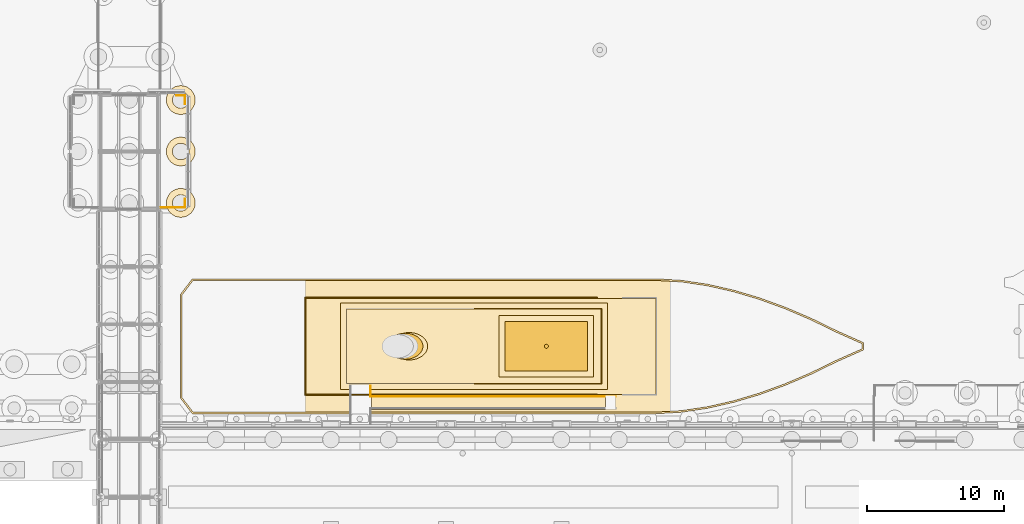
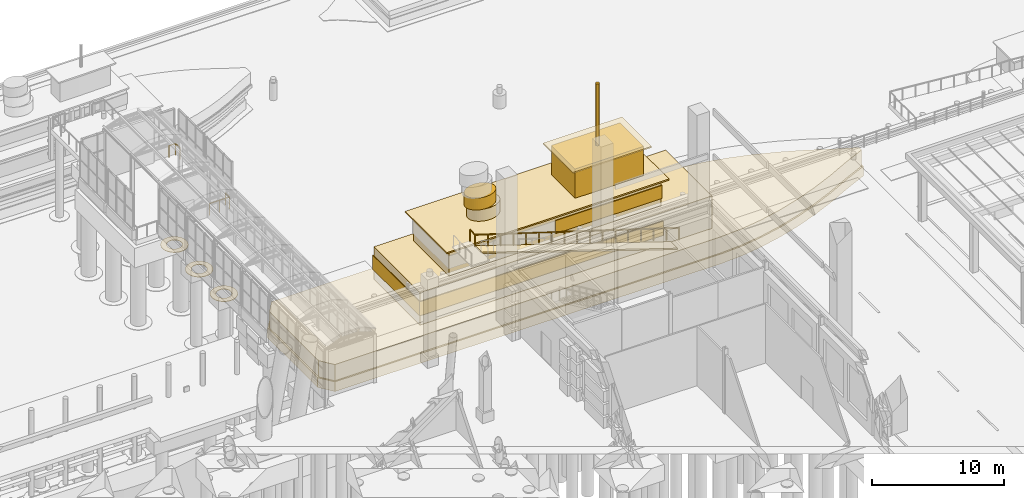
# One storey, part 192 of 222: 16 coverings, 5 railings.
"""IFC4 building model written with IfcOpenShell, lengths in metres."""

from ifc_helpers import new_model, si_unit, direction, frame, origin, origin_2d, place, context, subcontext, project, spatial, polyline, circle, outline, extrude, material, layer, layer_set, type_object, element, save


model = new_model("IFC4")

# Units and contexts
model_context = context("Model", 3, precision=1e-05, world=origin(), true_north=direction((0.0, 1.0)))
body_context = subcontext(model_context, "Body", "Model", "MODEL_VIEW")
ifc_project = project(units=[si_unit("LENGTHUNIT", "METRE"), si_unit("AREAUNIT", "SQUARE_METRE"), si_unit("VOLUMEUNIT", "CUBIC_METRE"), si_unit("PLANEANGLEUNIT", "RADIAN"), si_unit("MASSUNIT", "GRAM", prefix="KILO")], contexts=[model_context])

# Site, building, storey
site_placement = place(None, origin())
site = spatial("IfcSite", under=ifc_project, at=site_placement, CompositionType="ELEMENT")
building_placement = place(site_placement, origin())
building = spatial("IfcBuilding", under=site, at=building_placement, Name="Sava Quay Ferry Terminal", CompositionType="ELEMENT")
storey_placement = place(building_placement, origin())
storey = spatial("IfcBuildingStorey", under=building, at=storey_placement, Name="L00", CompositionType="ELEMENT", Elevation=0.0)

# Covering
ifc_material_1 = material(Name="Steel S355", Category="steel")
ifc_layer_1 = layer(ifc_material_1, 0.1201171875)
ifc_layer_set_1 = layer_set([ifc_layer_1], Name="Steel S355")
covering_type_1 = type_object("IfcCoveringType", Name="Crew gangway plate 120", PredefinedType="FLOORING", material=ifc_layer_set_1)
covering_1_placement = place(storey_placement, frame((95.35009765625, 120.800048828125, 0.1201171875), z_axis=(0.0, 1.0, 0.0), x_axis=(0.950227036018, 0.0, -0.311558309184)))
element("IfcCovering", 1, at=covering_1_placement, inside=storey, type_object=covering_type_1, Name="Crew gangway", PredefinedType="FLOORING", context=body_context, shape_type="SweptSolid", body=[
    extrude(outline(polyline([(0.0, 0.0), (17.97447697968839, 0.0), (18.01190048752977, 0.11413859905288959), (0.03742350784138105, 0.1141385990528894), (0.0, 0.0)])), origin(), (0.0, 0.0, -1.0), 1.0),
])

# Railings
ifc_material_2 = material(Name="Steel S355", Category="steel")
railing_type = type_object("IfcRailingType", Name="Edge guard 1100", PredefinedType="GUARDRAIL", material=ifc_material_2)
railing_1_placement = place(storey_placement, frame((80.0, 134.52001953125, 0.0)))
element("IfcRailing", 2, at=railing_1_placement, inside=storey, type_object=railing_type, Name="Berth head south guard east", PredefinedType="GUARDRAIL", context=body_context, shape_type="SweptSolid", body=[
    extrude(circle(Radius=0.02392578125, at=origin_2d()), frame((0.0, 0.0, 1.076171875), z_axis=(1.0, 0.0, 0.0), x_axis=(0.0, 1.0, 0.0)), (0.0, 0.0, 1.0), 1.75),
    extrude(circle(Radius=0.02099609375, at=origin_2d()), origin(), (0.0, 0.0, 1.0), 1.052001953125),
    extrude(circle(Radius=0.02099609375, at=origin_2d()), frame((0.875, 0.0, 0.0)), (0.0, 0.0, 1.0), 1.052001953125),
    extrude(circle(Radius=0.02099609375, at=origin_2d()), frame((1.75, 0.0, 0.0)), (0.0, 0.0, 1.0), 1.052001953125),
])
for number, where, name in (
    (3, (81.75, 134.52001953125, 0.0), "Berth head south-east corner guard"),
    (4, (81.75, 142.050048828125, 0.0), "Berth head north-east corner guard"),
):
    element("IfcRailing", number, at=place(storey_placement, frame(where)), inside=storey, type_object=railing_type, Name=name, PredefinedType="GUARDRAIL", context=body_context, shape_type="SweptSolid", body=[
        extrude(circle(Radius=0.02392578125, at=origin_2d()), frame((0.0, 0.0, 1.076171875), z_axis=(0.0, 1.0, 0.0), x_axis=(-1.0, 0.0, 0.0)), (0.0, 0.0, 1.0), 0.6298828125),
        extrude(circle(Radius=0.02099609375, at=origin_2d()), origin(), (0.0, 0.0, 1.0), 1.052001953125),
        extrude(circle(Radius=0.02099609375, at=origin_2d()), frame((0.0, 0.6298828125, 0.0)), (0.0, 0.0, 1.0), 1.052001953125),
    ])
railing_2_placement = place(storey_placement, frame((81.75, 142.679931640625, 0.0)))
element("IfcRailing", 5, at=railing_2_placement, inside=storey, type_object=railing_type, Name="Berth head north-east corner guard", PredefinedType="GUARDRAIL", context=body_context, shape_type="SweptSolid", body=[
    extrude(circle(Radius=0.02392578125, at=origin_2d()), frame((0.0, 0.0, 1.076171875), z_axis=(-1.0, 0.0, 0.0), x_axis=(0.0, -1.0, 0.0)), (0.0, 0.0, 1.0), 0.60009765625),
    extrude(circle(Radius=0.02099609375, at=origin_2d()), origin(), (0.0, 0.0, 1.0), 1.052001953125),
    extrude(circle(Radius=0.02099609375, at=origin_2d()), frame((-0.60009765625, 0.0, 0.0)), (0.0, 0.0, 1.0), 1.052001953125),
])
railing_3_placement = place(storey_placement, frame((113.1298828125, 120.72998046875, -5.47998046875)))
element("IfcRailing", 6, at=railing_3_placement, inside=storey, type_object=railing_type, Name="Gangway guard", PredefinedType="GUARDRAIL", context=body_context, shape_type="SweptSolid", body=[
    extrude(circle(Radius=0.02392578125, at=origin_2d()), frame((0.0, 0.0, 1.076171875), z_axis=(-0.954144295007, 0.0, 0.299347063298), x_axis=(0.0, -1.0, 0.0)), (0.0, 0.0, 1.0), 18.707763671875),
    extrude(circle(Radius=0.02392578125, at=origin_2d()), frame((-17.849853515625, 0.0, 6.67626953125), z_axis=(0.0, 1.0, 0.0), x_axis=(-1.0, 0.0, 0.0)), (0.0, 0.0, 1.0), 0.77001953125),
    extrude(circle(Radius=0.02099609375, at=origin_2d()), origin(), (0.0, 0.0, 1.0), 1.052001953125),
    extrude(circle(Radius=0.02099609375, at=origin_2d()), frame((-1.11572265625, 0.0, 0.35009765625)), (0.0, 0.0, 1.0), 1.052001953125),
    extrude(circle(Radius=0.02099609375, at=origin_2d()), frame((-2.231201171875, 0.0, 0.699951171875)), (0.0, 0.0, 1.0), 1.052001953125),
    extrude(circle(Radius=0.02099609375, at=origin_2d()), frame((-3.346923828125, 0.0, 1.050048828125)), (0.0, 0.0, 1.0), 1.052001953125),
    extrude(circle(Radius=0.02099609375, at=origin_2d()), frame((-4.46240234375, 0.0, 1.39990234375)), (0.0, 0.0, 1.0), 1.052001953125),
    extrude(circle(Radius=0.02099609375, at=origin_2d()), frame((-5.578125, 0.0, 1.75)), (0.0, 0.0, 1.0), 1.052001953125),
    extrude(circle(Radius=0.02099609375, at=origin_2d()), frame((-6.693603515625, 0.0, 2.10009765625)), (0.0, 0.0, 1.0), 1.052001953125),
    extrude(circle(Radius=0.02099609375, at=origin_2d()), frame((-7.809326171875, 0.0, 2.449951171875)), (0.0, 0.0, 1.0), 1.052001953125),
    extrude(circle(Radius=0.02099609375, at=origin_2d()), frame((-8.9248046875, 0.0, 2.800048828125)), (0.0, 0.0, 1.0), 1.052001953125),
    extrude(circle(Radius=0.02099609375, at=origin_2d()), frame((-10.04052734375, 0.0, 3.150146484375)), (0.0, 0.0, 1.0), 1.052001953125),
    extrude(circle(Radius=0.02099609375, at=origin_2d()), frame((-11.15625, 0.0, 3.5)), (0.0, 0.0, 1.0), 1.052001953125),
    extrude(circle(Radius=0.02099609375, at=origin_2d()), frame((-12.271728515625, 0.0, 3.85009765625)), (0.0, 0.0, 1.0), 1.052001953125),
    extrude(circle(Radius=0.02099609375, at=origin_2d()), frame((-13.387451171875, 0.0, 4.2001953125)), (0.0, 0.0, 1.0), 1.052001953125),
    extrude(circle(Radius=0.02099609375, at=origin_2d()), frame((-14.5029296875, 0.0, 4.550048828125)), (0.0, 0.0, 1.0), 1.052001953125),
    extrude(circle(Radius=0.02099609375, at=origin_2d()), frame((-15.61865234375, 0.0, 4.900146484375)), (0.0, 0.0, 1.0), 1.052001953125),
    extrude(circle(Radius=0.02099609375, at=origin_2d()), frame((-16.734130859375, 0.0, 5.25)), (0.0, 0.0, 1.0), 1.052001953125),
    extrude(circle(Radius=0.02099609375, at=origin_2d()), frame((-17.849853515625, 0.0, 5.60009765625)), (0.0, 0.0, 1.0), 1.052001953125),
    extrude(circle(Radius=0.02099609375, at=origin_2d()), frame((-17.849853515625, 0.77001953125, 5.60009765625)), (0.0, 0.0, 1.0), 1.052001953125),
])

# Coverings
ifc_material_3 = material(Name="Steel S355", Category="steel")
ifc_layer_2 = layer(ifc_material_3, 0.1201171875)
ifc_layer_set_2 = layer_set([ifc_layer_2], Name="Steel S355")
covering_type_2 = type_object("IfcCoveringType", Name="Ferry deck plate 120", PredefinedType="FLOORING", material=ifc_layer_set_2)
covering_2_placement = place(storey_placement, frame((0.0, 0.0, -0.1201171875)))
element("IfcCovering", 7, at=covering_2_placement, inside=storey, type_object=covering_type_2, Name="Ferry upper deck", PredefinedType="FLOORING", context=body_context, shape_type="SweptSolid", body=[
    extrude(outline(polyline([(112.550048828125, 127.550048828125), (93.10009765625, 127.550048828125), (93.10009765625, 121.25), (112.550048828125, 121.25), (112.550048828125, 127.550048828125)])), origin(), (0.0, 0.0, 1.0), 0.1201171875),
])
covering_3_placement = place(storey_placement, frame((0.0, 0.0, 2.699951171875)))
element("IfcCovering", 8, at=covering_3_placement, inside=storey, type_object=covering_type_2, Name="Ferry wheelhouse roof", PredefinedType="FLOORING", context=body_context, shape_type="SweptSolid", body=[
    extrude(outline(polyline([(104.64990234375, 122.14990234375), (111.550048828125, 122.14990234375), (111.550048828125, 126.64990234375), (104.64990234375, 126.64990234375), (104.64990234375, 122.14990234375)])), origin(), (0.0, 0.0, 1.0), 0.1201171875),
])
ifc_material_4 = material(Name="Steel S355", Category="steel")
ifc_layer_3 = layer(ifc_material_4, 4.39990234375)
ifc_layer_set_3 = layer_set([ifc_layer_3], Name="Steel S355")
covering_type_3 = type_object("IfcCoveringType", Name="Ferry funnel", PredefinedType="CLADDING", material=ifc_layer_set_3)
covering_4_placement = place(storey_placement, origin())
element("IfcCovering", 9, at=covering_4_placement, inside=storey, type_object=covering_type_3, Name="Ferry funnel", PredefinedType="CLADDING", context=body_context, shape_type="SweptSolid", body=[
    extrude(outline(polyline([(99.449951171875, 124.39990234375), (99.43798828125, 124.531005859375), (99.404052734375, 124.658935546875), (99.346923828125, 124.782958984375), (99.26904296875, 124.89990234375), (99.1708984375, 125.009033203125), (99.054931640625, 125.10693359375), (98.922119140625, 125.193115234375), (98.77490234375, 125.26611328125), (98.616943359375, 125.323974609375), (98.448974609375, 125.365966796875), (98.27587890625, 125.39111328125), (98.10009765625, 125.39990234375), (97.924072265625, 125.39111328125), (97.7509765625, 125.365966796875), (97.5830078125, 125.323974609375), (97.425048828125, 125.26611328125), (97.278076171875, 125.193115234375), (97.14501953125, 125.10693359375), (97.029052734375, 125.009033203125), (96.930908203125, 124.89990234375), (96.85302734375, 124.782958984375), (96.7958984375, 124.658935546875), (96.761962890625, 124.531005859375), (96.75, 124.39990234375), (96.761962890625, 124.26904296875), (96.7958984375, 124.14111328125), (96.85302734375, 124.01708984375), (96.930908203125, 123.89990234375), (97.029052734375, 123.791015625), (97.14501953125, 123.693115234375), (97.278076171875, 123.60693359375), (97.425048828125, 123.533935546875), (97.5830078125, 123.47607421875), (97.7509765625, 123.43408203125), (97.924072265625, 123.408935546875), (98.10009765625, 123.39990234375), (98.27587890625, 123.408935546875), (98.448974609375, 123.43408203125), (98.616943359375, 123.47607421875), (98.77490234375, 123.533935546875), (98.922119140625, 123.60693359375), (99.054931640625, 123.693115234375), (99.1708984375, 123.791015625), (99.26904296875, 123.89990234375), (99.346923828125, 124.01708984375), (99.404052734375, 124.14111328125), (99.43798828125, 124.26904296875), (99.449951171875, 124.39990234375)])), origin(), (0.0, 0.0, 1.0), 1.10009765625),
])
covering_5_placement = place(storey_placement, frame((0.0, 0.0, 1.10009765625)))
element("IfcCovering", 10, at=covering_5_placement, inside=storey, type_object=covering_type_3, Name="Ferry funnel", PredefinedType="CLADDING", context=body_context, shape_type="SweptSolid", body=[
    extrude(outline(polyline([(99.10205078125, 124.39990234375), (99.092041015625, 124.52392578125), (99.05908203125, 124.64599609375), (99.0048828125, 124.763916015625), (98.930908203125, 124.875), (98.8369140625, 124.97802734375), (98.72705078125, 125.072021484375), (98.60107421875, 125.154052734375), (98.4609375, 125.222900390625), (98.31103515625, 125.278076171875), (98.152099609375, 125.318115234375), (97.987060546875, 125.342041015625), (97.820068359375, 125.35009765625), (97.653076171875, 125.342041015625), (97.488037109375, 125.318115234375), (97.3291015625, 125.278076171875), (97.178955078125, 125.222900390625), (97.0390625, 125.154052734375), (96.9130859375, 125.072021484375), (96.802978515625, 124.97802734375), (96.708984375, 124.875), (96.635009765625, 124.763916015625), (96.5810546875, 124.64599609375), (96.548095703125, 124.52392578125), (96.537109375, 124.39990234375), (96.548095703125, 124.27587890625), (96.5810546875, 124.154052734375), (96.635009765625, 124.035888671875), (96.708984375, 123.925048828125), (96.802978515625, 123.822021484375), (96.9130859375, 123.72802734375), (97.0390625, 123.64599609375), (97.178955078125, 123.576904296875), (97.3291015625, 123.52197265625), (97.488037109375, 123.48193359375), (97.653076171875, 123.4580078125), (97.820068359375, 123.449951171875), (97.987060546875, 123.4580078125), (98.152099609375, 123.48193359375), (98.31103515625, 123.52197265625), (98.4609375, 123.576904296875), (98.60107421875, 123.64599609375), (98.72705078125, 123.72802734375), (98.8369140625, 123.822021484375), (98.930908203125, 123.925048828125), (99.0048828125, 124.035888671875), (99.05908203125, 124.154052734375), (99.092041015625, 124.27587890625), (99.10205078125, 124.39990234375)])), origin(), (0.0, 0.0, 1.0), 1.099853515625),
])
ifc_material_5 = material(Name="Steel S355", Category="steel")
ifc_layer_4 = layer(ifc_material_5, 1.5)
ifc_layer_set_4 = layer_set([ifc_layer_4], Name="Steel S355")
covering_type_4 = type_object("IfcCoveringType", Name="Ferry hull side", PredefinedType="CLADDING", material=ifc_layer_set_4)
covering_6_placement = place(storey_placement, frame((0.0, 0.0, -7.10009765625)))
element("IfcCovering", 11, at=covering_6_placement, inside=storey, type_object=covering_type_4, Name="Moored passenger ferry hull", PredefinedType="CLADDING", context=body_context, shape_type="SweptSolid", body=[
    extrude(outline(polyline([(81.550048828125, 128.14404296875), (81.550048828125, 120.656005859375), (82.35009765625, 119.60009765625), (116.10009765625, 119.60009765625), (117.97509765625, 119.714111328125), (119.85009765625, 119.99609375), (121.72509765625, 120.4208984375), (123.60009765625, 120.97802734375), (125.47509765625, 121.659912109375), (127.35009765625, 122.4599609375), (129.22509765625, 123.3740234375), (131.10009765625, 124.2080078125), (131.10009765625, 124.592041015625), (129.22509765625, 125.426025390625), (127.35009765625, 126.340087890625), (125.47509765625, 127.139892578125), (123.60009765625, 127.822021484375), (121.72509765625, 128.37890625), (119.85009765625, 128.803955078125), (117.97509765625, 129.0859375), (116.10009765625, 129.199951171875), (82.35009765625, 129.199951171875), (81.550048828125, 128.14404296875)])), origin(), (0.0, 0.0, 1.0), 1.5),
])
ifc_material_6 = material(Name="Aluminium cladding", Category="aluminium")
ifc_layer_5 = layer(ifc_material_6, 3.0)
ifc_layer_set_5 = layer_set([ifc_layer_5], Name="Aluminium cladding")
covering_type_5 = type_object("IfcCoveringType", Name="Ferry main deckhouse 3000", PredefinedType="CLADDING", material=ifc_layer_set_5)
covering_7_placement = place(storey_placement, frame((0.0, 0.0, -5.60009765625)))
element("IfcCovering", 12, at=covering_7_placement, inside=storey, type_object=covering_type_5, Name="Ferry main deckhouse", PredefinedType="CLADDING", context=body_context, shape_type="SweptSolid", body=[
    extrude(outline(polyline([(116.06103515625, 127.89990234375), (90.550048828125, 127.89990234375), (90.550048828125, 120.89990234375), (116.06103515625, 120.89990234375), (116.10009765625, 120.902099609375), (116.10009765625, 127.89794921875), (116.06103515625, 127.89990234375)])), origin(), (0.0, 0.0, 1.0), 3.0),
])
ifc_material_7 = material(Name="Steel S355", Category="steel")
ifc_layer_6 = layer(ifc_material_7, 0.300048828125)
ifc_layer_set_6 = layer_set([ifc_layer_6], Name="Steel S355")
covering_type_6 = type_object("IfcCoveringType", Name="Ferry mast 300", PredefinedType="CLADDING", material=ifc_layer_set_6)
covering_8_placement = place(storey_placement, frame((108.10009765625, 124.39990234375, 8.52001953125), z_axis=(0.0, 0.0, -1.0), x_axis=(1.0, 0.0, 0.0)))
element("IfcCovering", 13, at=covering_8_placement, inside=storey, type_object=covering_type_6, Name="Ferry mast", PredefinedType="CLADDING", context=body_context, shape_type="SweptSolid", body=[
    extrude(circle(Radius=0.14990234375, at=origin_2d()), origin(), (0.0, 0.0, 1.0), 5.699951171875),
])
ifc_material_8 = material(Name="Aluminium cladding", Category="aluminium")
ifc_layer_7 = layer(ifc_material_8, 2.47998046875)
ifc_layer_set_7 = layer_set([ifc_layer_7], Name="Aluminium cladding")
covering_type_7 = type_object("IfcCoveringType", Name="Ferry upper deckhouse", PredefinedType="CLADDING", material=ifc_layer_set_7)
covering_9_placement = place(storey_placement, frame((0.0, 0.0, -2.60009765625)))
element("IfcCovering", 14, at=covering_9_placement, inside=storey, type_object=covering_type_7, Name="Ferry upper deckhouse", PredefinedType="CLADDING", context=body_context, shape_type="SweptSolid", body=[
    extrude(outline(polyline([(112.10009765625, 127.10009765625), (93.550048828125, 127.10009765625), (93.550048828125, 121.699951171875), (112.10009765625, 121.699951171875), (112.10009765625, 127.10009765625)])), origin(), (0.0, 0.0, 1.0), 2.47998046875),
])
ifc_material_9 = material(Name="Steel S355", Category="steel")
ifc_layer_8 = layer(ifc_material_9, 0.89990234375)
ifc_layer_set_8 = layer_set([ifc_layer_8], Name="Steel S355")
covering_type_8 = type_object("IfcCoveringType", Name="Ferry waterline band 900", PredefinedType="CLADDING", material=ifc_layer_set_8)
covering_10_placement = place(storey_placement, frame((0.0, 0.0, -8.0)))
element("IfcCovering", 15, at=covering_10_placement, inside=storey, type_object=covering_type_8, Name="Ferry waterline band", PredefinedType="CLADDING", context=body_context, shape_type="SweptSolid", body=[
    extrude(outline(polyline([(81.429931640625, 128.18408203125), (81.429931640625, 120.615966796875), (82.2900390625, 119.47998046875), (116.10400390625, 119.47998046875), (117.988037109375, 119.593994140625), (119.8720703125, 119.8779296875), (121.7548828125, 120.304931640625), (123.637939453125, 120.864013671875), (125.51904296875, 121.548095703125), (127.39990234375, 122.35107421875), (129.27587890625, 123.26611328125), (131.219970703125, 124.1298828125), (131.219970703125, 124.669921875), (129.27587890625, 125.533935546875), (127.39990234375, 126.448974609375), (125.51904296875, 127.251953125), (123.637939453125, 127.93603515625), (121.7548828125, 128.4951171875), (119.8720703125, 128.922119140625), (117.988037109375, 129.2060546875), (116.10400390625, 129.320068359375), (82.2900390625, 129.320068359375), (81.429931640625, 128.18408203125)])), origin(), (0.0, 0.0, 1.0), 0.89990234375),
])
ifc_material_10 = material(Name="Aluminium cladding", Category="aluminium")
ifc_layer_9 = layer(ifc_material_10, 2.699951171875)
ifc_layer_set_9 = layer_set([ifc_layer_9], Name="Aluminium cladding")
covering_type_9 = type_object("IfcCoveringType", Name="Ferry wheelhouse 2700", PredefinedType="CLADDING", material=ifc_layer_set_9)
covering_11_placement = place(storey_placement, origin())
element("IfcCovering", 16, at=covering_11_placement, inside=storey, type_object=covering_type_9, Name="Ferry wheelhouse", PredefinedType="CLADDING", context=body_context, shape_type="SweptSolid", body=[
    extrude(outline(polyline([(105.10009765625, 122.60009765625), (111.10009765625, 122.60009765625), (111.10009765625, 126.199951171875), (105.10009765625, 126.199951171875), (105.10009765625, 122.60009765625)])), origin(), (0.0, 0.0, 1.0), 2.699951171875),
])
ifc_material_11 = material(Name="Glass", Category="glass")
ifc_layer_10 = layer(ifc_material_11, 0.06005859375)
ifc_layer_set_10 = layer_set([ifc_layer_10], Name="Glass")
covering_type_10 = type_object("IfcCoveringType", Name="Ferry window band 60", PredefinedType="CLADDING", material=ifc_layer_set_10)
covering_12_placement = place(storey_placement, frame((0.0, 0.0, -4.699951171875)))
element("IfcCovering", 17, at=covering_12_placement, inside=storey, type_object=covering_type_10, Name="Ferry window band", PredefinedType="CLADDING", context=body_context, shape_type="SweptSolid", body=[
    extrude(outline(polyline([(90.489990234375, 120.840087890625), (111.830078125, 120.840087890625), (111.830078125, 120.89990234375), (90.550048828125, 120.89990234375), (90.550048828125, 127.89990234375), (111.830078125, 127.89990234375), (111.830078125, 127.9599609375), (90.489990234375, 127.9599609375), (90.489990234375, 120.840087890625)])), origin(), (0.0, 0.0, 1.0), 1.300048828125),
])
covering_13_placement = place(storey_placement, frame((0.0, 0.0, -1.89990234375)))
element("IfcCovering", 18, at=covering_13_placement, inside=storey, type_object=covering_type_10, Name="Ferry window band", PredefinedType="CLADDING", context=body_context, shape_type="SweptSolid", body=[
    extrude(outline(polyline([(102.824951171875, 121.639892578125), (112.159912109375, 121.639892578125), (112.159912109375, 127.159912109375), (102.824951171875, 127.159912109375), (102.824951171875, 127.10009765625), (112.10009765625, 127.10009765625), (112.10009765625, 121.699951171875), (102.824951171875, 121.699951171875), (102.824951171875, 121.639892578125)])), origin(), (0.0, 0.0, 1.0), 1.199951171875),
])
ifc_material_12 = material(Name="Water")
ifc_layer_11 = layer(ifc_material_12, 0.0400390625)
ifc_layer_set_11 = layer_set([ifc_layer_11], Name="Water")
covering_type_11 = type_object("IfcCoveringType", Name="River foam collar", PredefinedType="CLADDING", material=ifc_layer_set_11)
covering_14_placement = place(storey_placement, frame((0.0, 0.0, -8.0)))
element("IfcCovering", 19, at=covering_14_placement, inside=storey, type_object=covering_type_11, Name="River foam collar", PredefinedType="CLADDING", context=body_context, shape_type="SweptSolid", body=[
    extrude(outline(polyline([(82.422119140625, 134.447021484375), (82.48193359375, 134.64501953125), (82.501953125, 134.85009765625), (82.48193359375, 135.054931640625), (82.422119140625, 135.2529296875), (82.324951171875, 135.43505859375), (82.194091796875, 135.593994140625), (82.034912109375, 135.72509765625), (81.85302734375, 135.822021484375), (81.655029296875, 135.882080078125), (81.449951171875, 135.902099609375), (81.2451171875, 135.882080078125), (81.047119140625, 135.822021484375), (80.864990234375, 135.72509765625), (80.7060546875, 135.593994140625), (80.574951171875, 135.43505859375), (80.47802734375, 135.2529296875), (80.41796875, 135.054931640625), (80.39794921875, 134.85009765625), (80.41796875, 134.64501953125), (80.47802734375, 134.447021484375), (80.574951171875, 134.264892578125), (80.7060546875, 134.10595703125), (80.864990234375, 133.97509765625), (81.047119140625, 133.8779296875), (81.2451171875, 133.818115234375), (81.449951171875, 133.798095703125), (81.655029296875, 133.818115234375), (81.85302734375, 133.8779296875), (82.034912109375, 133.97509765625), (82.194091796875, 134.10595703125), (82.324951171875, 134.264892578125), (82.422119140625, 134.447021484375)]), holes=[polyline([(82.00390625, 135.080078125), (82.0380859375, 134.967041015625), (82.050048828125, 134.85009765625), (82.0380859375, 134.73291015625), (82.00390625, 134.6201171875), (81.948974609375, 134.51708984375), (81.8740234375, 134.426025390625), (81.782958984375, 134.35107421875), (81.679931640625, 134.2958984375), (81.56689453125, 134.261962890625), (81.449951171875, 134.25), (81.3330078125, 134.261962890625), (81.219970703125, 134.2958984375), (81.116943359375, 134.35107421875), (81.02587890625, 134.426025390625), (80.950927734375, 134.51708984375), (80.89599609375, 134.6201171875), (80.862060546875, 134.73291015625), (80.85009765625, 134.85009765625), (80.862060546875, 134.967041015625), (80.89599609375, 135.080078125), (80.950927734375, 135.18310546875), (81.02587890625, 135.27392578125), (81.116943359375, 135.34912109375), (81.219970703125, 135.404052734375), (81.3330078125, 135.43798828125), (81.449951171875, 135.449951171875), (81.56689453125, 135.43798828125), (81.679931640625, 135.404052734375), (81.782958984375, 135.34912109375), (81.8740234375, 135.27392578125), (81.948974609375, 135.18310546875), (82.00390625, 135.080078125)])]), origin(), (0.0, 0.0, 1.0), 0.0400390625),
])
covering_15_placement = place(storey_placement, frame((0.0, 0.0, -8.0)))
element("IfcCovering", 20, at=covering_15_placement, inside=storey, type_object=covering_type_11, Name="River foam collar", PredefinedType="CLADDING", context=body_context, shape_type="SweptSolid", body=[
    extrude(outline(polyline([(82.324951171875, 138.014892578125), (82.422119140625, 138.197021484375), (82.48193359375, 138.39501953125), (82.501953125, 138.60009765625), (82.48193359375, 138.804931640625), (82.422119140625, 139.0029296875), (82.324951171875, 139.18505859375), (82.194091796875, 139.343994140625), (82.034912109375, 139.47509765625), (81.85302734375, 139.572021484375), (81.655029296875, 139.632080078125), (81.449951171875, 139.652099609375), (81.2451171875, 139.632080078125), (81.047119140625, 139.572021484375), (80.864990234375, 139.47509765625), (80.7060546875, 139.343994140625), (80.574951171875, 139.18505859375), (80.47802734375, 139.0029296875), (80.41796875, 138.804931640625), (80.39794921875, 138.60009765625), (80.41796875, 138.39501953125), (80.47802734375, 138.197021484375), (80.574951171875, 138.014892578125), (80.7060546875, 137.85595703125), (80.864990234375, 137.72509765625), (81.047119140625, 137.6279296875), (81.2451171875, 137.568115234375), (81.449951171875, 137.548095703125), (81.655029296875, 137.568115234375), (81.85302734375, 137.6279296875), (82.034912109375, 137.72509765625), (82.194091796875, 137.85595703125), (82.324951171875, 138.014892578125)]), holes=[polyline([(81.948974609375, 138.93310546875), (82.00390625, 138.830078125), (82.0380859375, 138.717041015625), (82.050048828125, 138.60009765625), (82.0380859375, 138.48291015625), (82.00390625, 138.3701171875), (81.948974609375, 138.26708984375), (81.8740234375, 138.176025390625), (81.782958984375, 138.10107421875), (81.679931640625, 138.0458984375), (81.56689453125, 138.011962890625), (81.449951171875, 138.0), (81.3330078125, 138.011962890625), (81.219970703125, 138.0458984375), (81.116943359375, 138.10107421875), (81.02587890625, 138.176025390625), (80.950927734375, 138.26708984375), (80.89599609375, 138.3701171875), (80.862060546875, 138.48291015625), (80.85009765625, 138.60009765625), (80.862060546875, 138.717041015625), (80.89599609375, 138.830078125), (80.950927734375, 138.93310546875), (81.02587890625, 139.02392578125), (81.116943359375, 139.09912109375), (81.219970703125, 139.154052734375), (81.3330078125, 139.18798828125), (81.449951171875, 139.199951171875), (81.56689453125, 139.18798828125), (81.679931640625, 139.154052734375), (81.782958984375, 139.09912109375), (81.8740234375, 139.02392578125), (81.948974609375, 138.93310546875)])]), origin(), (0.0, 0.0, 1.0), 0.0400390625),
])
covering_16_placement = place(storey_placement, frame((0.0, 0.0, -8.0)))
element("IfcCovering", 21, at=covering_16_placement, inside=storey, type_object=covering_type_11, Name="River foam collar", PredefinedType="CLADDING", context=body_context, shape_type="SweptSolid", body=[
    extrude(outline(polyline([(82.194091796875, 141.60595703125), (82.324951171875, 141.764892578125), (82.422119140625, 141.947021484375), (82.48193359375, 142.14501953125), (82.501953125, 142.35009765625), (82.48193359375, 142.554931640625), (82.422119140625, 142.7529296875), (82.324951171875, 142.93505859375), (82.194091796875, 143.093994140625), (82.034912109375, 143.22509765625), (81.85302734375, 143.322021484375), (81.655029296875, 143.382080078125), (81.449951171875, 143.402099609375), (81.2451171875, 143.382080078125), (81.047119140625, 143.322021484375), (80.864990234375, 143.22509765625), (80.7060546875, 143.093994140625), (80.574951171875, 142.93505859375), (80.47802734375, 142.7529296875), (80.41796875, 142.554931640625), (80.39794921875, 142.35009765625), (80.41796875, 142.14501953125), (80.47802734375, 141.947021484375), (80.574951171875, 141.764892578125), (80.7060546875, 141.60595703125), (80.864990234375, 141.47509765625), (81.047119140625, 141.3779296875), (81.2451171875, 141.318115234375), (81.449951171875, 141.298095703125), (81.655029296875, 141.318115234375), (81.85302734375, 141.3779296875), (82.034912109375, 141.47509765625), (82.194091796875, 141.60595703125)]), holes=[polyline([(81.8740234375, 142.77392578125), (81.948974609375, 142.68310546875), (82.00390625, 142.580078125), (82.0380859375, 142.467041015625), (82.050048828125, 142.35009765625), (82.0380859375, 142.23291015625), (82.00390625, 142.1201171875), (81.948974609375, 142.01708984375), (81.8740234375, 141.926025390625), (81.782958984375, 141.85107421875), (81.679931640625, 141.7958984375), (81.56689453125, 141.761962890625), (81.449951171875, 141.75), (81.3330078125, 141.761962890625), (81.219970703125, 141.7958984375), (81.116943359375, 141.85107421875), (81.02587890625, 141.926025390625), (80.950927734375, 142.01708984375), (80.89599609375, 142.1201171875), (80.862060546875, 142.23291015625), (80.85009765625, 142.35009765625), (80.862060546875, 142.467041015625), (80.89599609375, 142.580078125), (80.950927734375, 142.68310546875), (81.02587890625, 142.77392578125), (81.116943359375, 142.84912109375), (81.219970703125, 142.904052734375), (81.3330078125, 142.93798828125), (81.449951171875, 142.949951171875), (81.56689453125, 142.93798828125), (81.679931640625, 142.904052734375), (81.782958984375, 142.84912109375), (81.8740234375, 142.77392578125)])]), origin(), (0.0, 0.0, 1.0), 0.0400390625),
])

save(model, "model.ifc")
